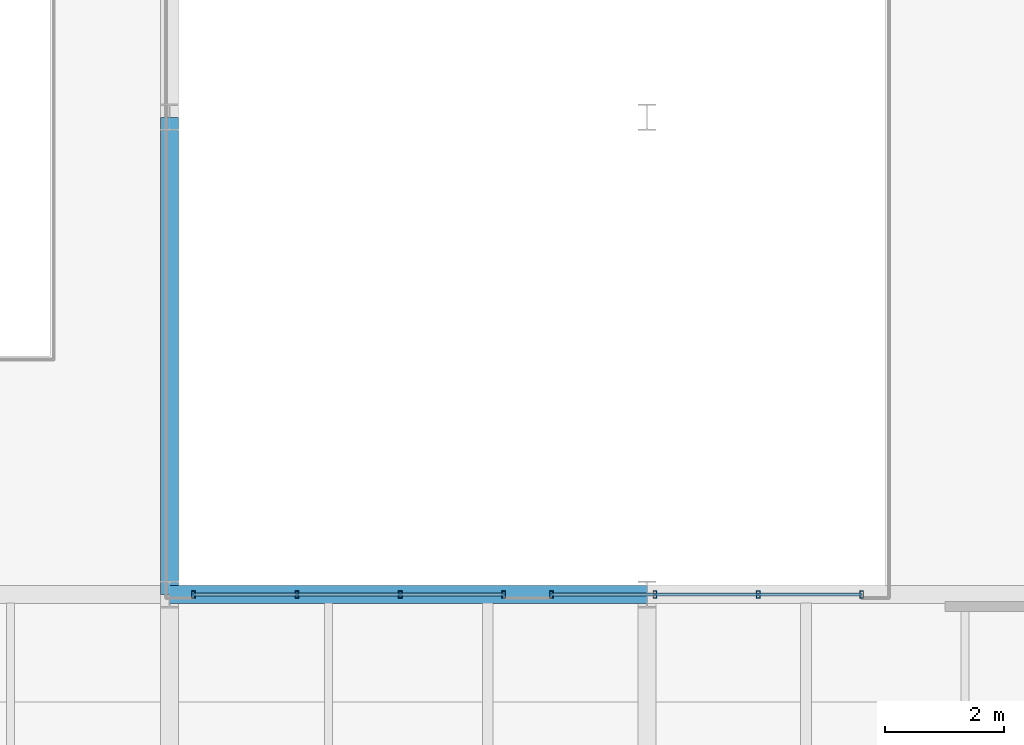
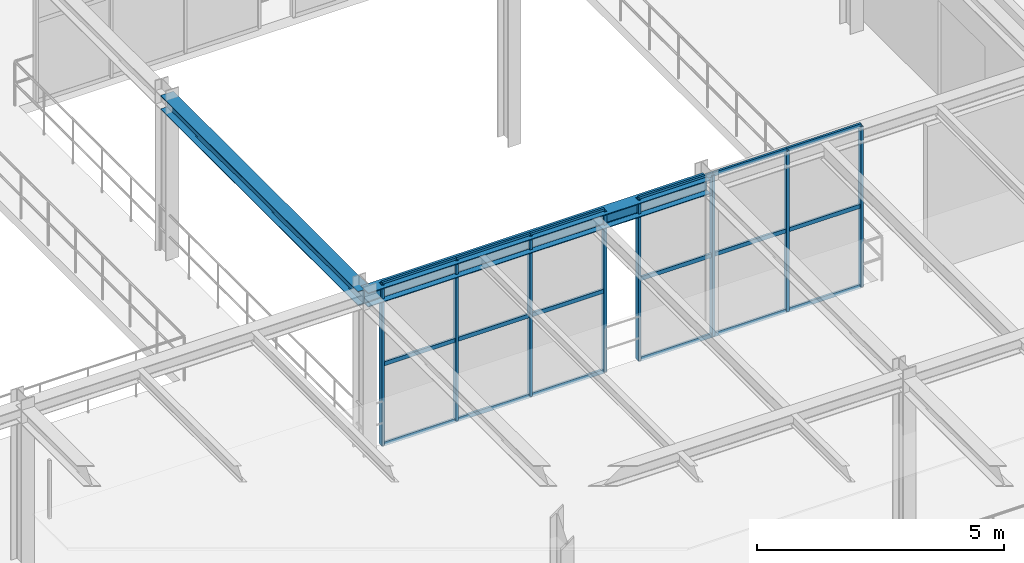
# One storey, part 64 of 124: 26 members, 2 beams, 2 elements without a shape of their own.
"""IFC4 building model written with IfcOpenShell, lengths in metres."""

from ifc_helpers import new_model, si_unit, direction, frame, origin, origin_2d, place, context, subcontext, project, spatial, hollow_rectangle, i_section, extrude, material, material_profile, profile_set, type_object, element, aggregate, save


model = new_model("IFC4")

# Units and contexts
model_context = context("Model", 3, precision=1e-05, world=origin(), true_north=direction((0.0, 1.0)))
body_context = subcontext(model_context, "Body", "Model", "MODEL_VIEW")
ifc_project = project(units=[si_unit("LENGTHUNIT", "METRE"), si_unit("AREAUNIT", "SQUARE_METRE"), si_unit("VOLUMEUNIT", "CUBIC_METRE"), si_unit("PLANEANGLEUNIT", "RADIAN"), si_unit("MASSUNIT", "GRAM", prefix="KILO")], contexts=[model_context])

# Site, building, storey
site_placement = place(None, origin())
site = spatial("IfcSite", under=ifc_project, at=site_placement, CompositionType="ELEMENT")
building_placement = place(site_placement, origin())
building = spatial("IfcBuilding", under=site, at=building_placement, Name="Sundkrona Museum", CompositionType="ELEMENT")
storey_placement = place(building_placement, frame((0.0, 0.0, 17.60009765625)))
storey = spatial("IfcBuildingStorey", under=building, at=storey_placement, Name="L03", CompositionType="ELEMENT", Elevation=17.60009765625)

# Beams
ifc_material_1 = material(Name="Steel S355J2", Category="steel")
ifc_material_profile_1 = material_profile(ifc_material_1, i_section(OverallWidth=0.300048828125, OverallDepth=0.35009765625, WebThickness=0.010009765625, FlangeThickness=0.017578125, FilletRadius=0.027099609375, at=origin_2d()), Name="HEA 360")
ifc_profile_set_1 = profile_set([ifc_material_profile_1], Name="Steel S355J2")
beam_type = type_object("IfcBeamType", Name="B-HEA360", PredefinedType="BEAM", material=ifc_profile_set_1)
for number, where, z_axis, x_axis, name in (
    (1, (136.0, 16.0, 3.784912109375), (1.0, 0.0, 0.0), (0.0, 1.0, 0.0), "L03 Girder X-1434"),
    (2, (136.0, 16.0, 3.784912109375), (0.0, 1.0, 0.0), (-1.0, 0.0, 0.0), "L03 Girder Y-1634"),
):
    element("IfcBeam", number, at=place(storey_placement, frame(where, z_axis=z_axis, x_axis=x_axis)), inside=storey, type_object=beam_type, Name=name, PredefinedType="BEAM", context=body_context, shape_type="SweptSolid", body=[
        extrude(i_section(OverallWidth=0.300048828125, OverallDepth=0.35009765625, WebThickness=0.010009765625, FlangeThickness=0.017578125, FilletRadius=0.027099609375, at=origin_2d()), origin(), (0.0, 0.0, 1.0), 8.0),
    ])

# Curtain wall, members
ifc_material_2 = material(Name="Unitised Aluminium-Steel and Ceramic-Clad Curtain Walling", Category="steel")
curtain_wall_type = type_object("IfcCurtainWallType", Name="CW-SC-52x38", PredefinedType="NOTDEFINED", material=ifc_material_2)
curtain_wall_1_placement = place(storey_placement, origin())
curtain_wall_1 = element("IfcCurtainWall", 3, at=curtain_wall_1_placement, inside=storey, type_object=curtain_wall_type, Name="L03 Curtain Wall CW-L03-009", PredefinedType="NOTDEFINED")
ifc_material_3 = material(Name="Aluminium EN AW-6060 T66", Category="aluminium")
ifc_material_profile_2 = material_profile(ifc_material_3, hollow_rectangle(XDim=0.06005859375, YDim=0.1201171875, WallThickness=0.0048828125, at=origin_2d()), Name="RHS 120x60x5.0")
ifc_profile_set_2 = profile_set([ifc_material_profile_2], Name="Aluminium EN AW-6060 T66")
member_type_1 = type_object("IfcMemberType", Name="ML-120", PredefinedType="MULLION", material=ifc_profile_set_2)
member_1_placement = place(storey_placement, frame((136.39990234375, 16.0, -0.004150390625), z_axis=(0.0, 0.0, 1.0), x_axis=(1.0, 0.0, 0.0)))
member_1 = element("IfcMember", 4, at=member_1_placement, type_object=member_type_1, Name="CW-L03-009 Mullion 01", PredefinedType="MULLION", context=body_context, shape_type="SweptSolid", body=[
    extrude(hollow_rectangle(XDim=0.06005859375, YDim=0.1201171875, WallThickness=0.0048828125, at=origin_2d()), origin(), (0.0, 0.0, 1.0), 3.968017578125),
])
member_2_placement = place(storey_placement, frame((138.13330078125, 16.0, -0.004150390625), z_axis=(0.0, 0.0, 1.0), x_axis=(1.0, 0.0, 0.0)))
member_2 = element("IfcMember", 5, at=member_2_placement, type_object=member_type_1, Name="CW-L03-009 Mullion 02", PredefinedType="MULLION", context=body_context, shape_type="SweptSolid", body=[
    extrude(hollow_rectangle(XDim=0.06005859375, YDim=0.1201171875, WallThickness=0.0048828125, at=origin_2d()), origin(), (0.0, 0.0, 1.0), 3.968017578125),
])
member_3_placement = place(storey_placement, frame((139.86669921875, 16.0, -0.004150390625), z_axis=(0.0, 0.0, 1.0), x_axis=(1.0, 0.0, 0.0)))
member_3 = element("IfcMember", 6, at=member_3_placement, type_object=member_type_1, Name="CW-L03-009 Mullion 03", PredefinedType="MULLION", context=body_context, shape_type="SweptSolid", body=[
    extrude(hollow_rectangle(XDim=0.06005859375, YDim=0.1201171875, WallThickness=0.0048828125, at=origin_2d()), origin(), (0.0, 0.0, 1.0), 3.968017578125),
])
member_4_placement = place(storey_placement, frame((141.60009765625, 16.0, -0.004150390625), z_axis=(0.0, 0.0, 1.0), x_axis=(1.0, 0.0, 0.0)))
member_4 = element("IfcMember", 7, at=member_4_placement, type_object=member_type_1, Name="CW-L03-009 Mullion 04", PredefinedType="MULLION", context=body_context, shape_type="SweptSolid", body=[
    extrude(hollow_rectangle(XDim=0.06005859375, YDim=0.1201171875, WallThickness=0.0048828125, at=origin_2d()), origin(), (0.0, 0.0, 1.0), 3.968017578125),
])

curtain_wall_2_placement = place(storey_placement, origin())
curtain_wall_2 = element("IfcCurtainWall", 8, at=curtain_wall_2_placement, inside=storey, type_object=curtain_wall_type, Name="L03 Curtain Wall CW-L03-011", PredefinedType="NOTDEFINED")
member_5_placement = place(storey_placement, frame((142.39990234375, 16.0, -0.004150390625), z_axis=(0.0, 0.0, 1.0), x_axis=(1.0, 0.0, 0.0)))
member_5 = element("IfcMember", 9, at=member_5_placement, type_object=member_type_1, Name="CW-L03-011 Mullion 01", PredefinedType="MULLION", context=body_context, shape_type="SweptSolid", body=[
    extrude(hollow_rectangle(XDim=0.06005859375, YDim=0.1201171875, WallThickness=0.0048828125, at=origin_2d()), origin(), (0.0, 0.0, 1.0), 3.968017578125),
])
member_6_placement = place(storey_placement, frame((144.13330078125, 16.0, -0.004150390625), z_axis=(0.0, 0.0, 1.0), x_axis=(1.0, 0.0, 0.0)))
member_6 = element("IfcMember", 10, at=member_6_placement, type_object=member_type_1, Name="CW-L03-011 Mullion 02", PredefinedType="MULLION", context=body_context, shape_type="SweptSolid", body=[
    extrude(hollow_rectangle(XDim=0.06005859375, YDim=0.1201171875, WallThickness=0.0048828125, at=origin_2d()), origin(), (0.0, 0.0, 1.0), 3.968017578125),
])
member_7_placement = place(storey_placement, frame((145.86669921875, 16.0, -0.004150390625), z_axis=(0.0, 0.0, 1.0), x_axis=(1.0, 0.0, 0.0)))
member_7 = element("IfcMember", 11, at=member_7_placement, type_object=member_type_1, Name="CW-L03-011 Mullion 03", PredefinedType="MULLION", context=body_context, shape_type="SweptSolid", body=[
    extrude(hollow_rectangle(XDim=0.06005859375, YDim=0.1201171875, WallThickness=0.0048828125, at=origin_2d()), origin(), (0.0, 0.0, 1.0), 3.968017578125),
])
member_8_placement = place(storey_placement, frame((147.60009765625, 16.0, -0.004150390625), z_axis=(0.0, 0.0, 1.0), x_axis=(1.0, 0.0, 0.0)))
member_8 = element("IfcMember", 12, at=member_8_placement, type_object=member_type_1, Name="CW-L03-011 Mullion 04", PredefinedType="MULLION", context=body_context, shape_type="SweptSolid", body=[
    extrude(hollow_rectangle(XDim=0.06005859375, YDim=0.1201171875, WallThickness=0.0048828125, at=origin_2d()), origin(), (0.0, 0.0, 1.0), 3.968017578125),
])

# Member
ifc_material_profile_3 = material_profile(ifc_material_3, hollow_rectangle(XDim=0.050048828125, YDim=0.10009765625, WallThickness=0.0048828125, at=origin_2d()), Name="RHS 100x50x5.0")
ifc_profile_set_3 = profile_set([ifc_material_profile_3], Name="Aluminium EN AW-6060 T66")
member_type_2 = type_object("IfcMemberType", Name="TR-100", PredefinedType="USERDEFINED", material=ifc_profile_set_3)
member_9_placement = place(storey_placement, frame((136.39990234375, 16.0, -0.004150390625), z_axis=(1.0, 0.0, 0.0), x_axis=(0.0, 1.0, 0.0)))
member_9 = element("IfcMember", 13, at=member_9_placement, type_object=member_type_2, Name="CW-L03-009 Transom 01", ObjectType="TRANSOM", PredefinedType="USERDEFINED", context=body_context, shape_type="SweptSolid", body=[
    extrude(hollow_rectangle(XDim=0.050048828125, YDim=0.10009765625, WallThickness=0.0048828125, at=origin_2d()), origin(), (0.0, 0.0, 1.0), 1.7333984375),
])

member_10_placement = place(storey_placement, frame((136.39990234375, 16.0, 1.97998046875), z_axis=(1.0, 0.0, 0.0), x_axis=(0.0, 1.0, 0.0)))
member_10 = element("IfcMember", 14, at=member_10_placement, type_object=member_type_2, Name="CW-L03-009 Transom 02", ObjectType="TRANSOM", PredefinedType="USERDEFINED", context=body_context, shape_type="SweptSolid", body=[
    extrude(hollow_rectangle(XDim=0.050048828125, YDim=0.10009765625, WallThickness=0.0048828125, at=origin_2d()), origin(), (0.0, 0.0, 1.0), 1.7333984375),
])

member_11_placement = place(storey_placement, frame((136.39990234375, 16.0, 3.9638671875), z_axis=(1.0, 0.0, 0.0), x_axis=(0.0, 1.0, 0.0)))
member_11 = element("IfcMember", 15, at=member_11_placement, type_object=member_type_2, Name="CW-L03-009 Transom 03", ObjectType="TRANSOM", PredefinedType="USERDEFINED", context=body_context, shape_type="SweptSolid", body=[
    extrude(hollow_rectangle(XDim=0.050048828125, YDim=0.10009765625, WallThickness=0.0048828125, at=origin_2d()), origin(), (0.0, 0.0, 1.0), 1.7333984375),
])

member_12_placement = place(storey_placement, frame((138.13330078125, 16.0, -0.004150390625), z_axis=(1.0, 0.0, 0.0), x_axis=(0.0, 1.0, 0.0)))
member_12 = element("IfcMember", 16, at=member_12_placement, type_object=member_type_2, Name="CW-L03-009 Transom 04", ObjectType="TRANSOM", PredefinedType="USERDEFINED", context=body_context, shape_type="SweptSolid", body=[
    extrude(hollow_rectangle(XDim=0.050048828125, YDim=0.10009765625, WallThickness=0.0048828125, at=origin_2d()), origin(), (0.0, 0.0, 1.0), 1.7333984375),
])

member_13_placement = place(storey_placement, frame((138.13330078125, 16.0, 1.97998046875), z_axis=(1.0, 0.0, 0.0), x_axis=(0.0, 1.0, 0.0)))
member_13 = element("IfcMember", 17, at=member_13_placement, type_object=member_type_2, Name="CW-L03-009 Transom 05", ObjectType="TRANSOM", PredefinedType="USERDEFINED", context=body_context, shape_type="SweptSolid", body=[
    extrude(hollow_rectangle(XDim=0.050048828125, YDim=0.10009765625, WallThickness=0.0048828125, at=origin_2d()), origin(), (0.0, 0.0, 1.0), 1.7333984375),
])

member_14_placement = place(storey_placement, frame((138.13330078125, 16.0, 3.9638671875), z_axis=(1.0, 0.0, 0.0), x_axis=(0.0, 1.0, 0.0)))
member_14 = element("IfcMember", 18, at=member_14_placement, type_object=member_type_2, Name="CW-L03-009 Transom 06", ObjectType="TRANSOM", PredefinedType="USERDEFINED", context=body_context, shape_type="SweptSolid", body=[
    extrude(hollow_rectangle(XDim=0.050048828125, YDim=0.10009765625, WallThickness=0.0048828125, at=origin_2d()), origin(), (0.0, 0.0, 1.0), 1.7333984375),
])

member_15_placement = place(storey_placement, frame((139.86669921875, 16.0, -0.004150390625), z_axis=(1.0, 0.0, 0.0), x_axis=(0.0, 1.0, 0.0)))
member_15 = element("IfcMember", 19, at=member_15_placement, type_object=member_type_2, Name="CW-L03-009 Transom 07", ObjectType="TRANSOM", PredefinedType="USERDEFINED", context=body_context, shape_type="SweptSolid", body=[
    extrude(hollow_rectangle(XDim=0.050048828125, YDim=0.10009765625, WallThickness=0.0048828125, at=origin_2d()), origin(), (0.0, 0.0, 1.0), 1.7333984375),
])

member_16_placement = place(storey_placement, frame((139.86669921875, 16.0, 1.97998046875), z_axis=(1.0, 0.0, 0.0), x_axis=(0.0, 1.0, 0.0)))
member_16 = element("IfcMember", 20, at=member_16_placement, type_object=member_type_2, Name="CW-L03-009 Transom 08", ObjectType="TRANSOM", PredefinedType="USERDEFINED", context=body_context, shape_type="SweptSolid", body=[
    extrude(hollow_rectangle(XDim=0.050048828125, YDim=0.10009765625, WallThickness=0.0048828125, at=origin_2d()), origin(), (0.0, 0.0, 1.0), 1.7333984375),
])

member_17_placement = place(storey_placement, frame((139.86669921875, 16.0, 3.9638671875), z_axis=(1.0, 0.0, 0.0), x_axis=(0.0, 1.0, 0.0)))
member_17 = element("IfcMember", 21, at=member_17_placement, type_object=member_type_2, Name="CW-L03-009 Transom 09", ObjectType="TRANSOM", PredefinedType="USERDEFINED", context=body_context, shape_type="SweptSolid", body=[
    extrude(hollow_rectangle(XDim=0.050048828125, YDim=0.10009765625, WallThickness=0.0048828125, at=origin_2d()), origin(), (0.0, 0.0, 1.0), 1.7333984375),
])

aggregate(curtain_wall_1, [member_1, member_2, member_3, member_4, member_9, member_10, member_11, member_12, member_13, member_14, member_15, member_16, member_17])

member_18_placement = place(storey_placement, frame((142.39990234375, 16.0, -0.004150390625), z_axis=(1.0, 0.0, 0.0), x_axis=(0.0, 1.0, 0.0)))
member_18 = element("IfcMember", 22, at=member_18_placement, type_object=member_type_2, Name="CW-L03-011 Transom 01", ObjectType="TRANSOM", PredefinedType="USERDEFINED", context=body_context, shape_type="SweptSolid", body=[
    extrude(hollow_rectangle(XDim=0.050048828125, YDim=0.10009765625, WallThickness=0.0048828125, at=origin_2d()), origin(), (0.0, 0.0, 1.0), 1.7333984375),
])

member_19_placement = place(storey_placement, frame((142.39990234375, 16.0, 1.97998046875), z_axis=(1.0, 0.0, 0.0), x_axis=(0.0, 1.0, 0.0)))
member_19 = element("IfcMember", 23, at=member_19_placement, type_object=member_type_2, Name="CW-L03-011 Transom 02", ObjectType="TRANSOM", PredefinedType="USERDEFINED", context=body_context, shape_type="SweptSolid", body=[
    extrude(hollow_rectangle(XDim=0.050048828125, YDim=0.10009765625, WallThickness=0.0048828125, at=origin_2d()), origin(), (0.0, 0.0, 1.0), 1.7333984375),
])

member_20_placement = place(storey_placement, frame((142.39990234375, 16.0, 3.9638671875), z_axis=(1.0, 0.0, 0.0), x_axis=(0.0, 1.0, 0.0)))
member_20 = element("IfcMember", 24, at=member_20_placement, type_object=member_type_2, Name="CW-L03-011 Transom 03", ObjectType="TRANSOM", PredefinedType="USERDEFINED", context=body_context, shape_type="SweptSolid", body=[
    extrude(hollow_rectangle(XDim=0.050048828125, YDim=0.10009765625, WallThickness=0.0048828125, at=origin_2d()), origin(), (0.0, 0.0, 1.0), 1.7333984375),
])

member_21_placement = place(storey_placement, frame((144.13330078125, 16.0, -0.004150390625), z_axis=(1.0, 0.0, 0.0), x_axis=(0.0, 1.0, 0.0)))
member_21 = element("IfcMember", 25, at=member_21_placement, type_object=member_type_2, Name="CW-L03-011 Transom 04", ObjectType="TRANSOM", PredefinedType="USERDEFINED", context=body_context, shape_type="SweptSolid", body=[
    extrude(hollow_rectangle(XDim=0.050048828125, YDim=0.10009765625, WallThickness=0.0048828125, at=origin_2d()), origin(), (0.0, 0.0, 1.0), 1.7333984375),
])

member_22_placement = place(storey_placement, frame((144.13330078125, 16.0, 1.97998046875), z_axis=(1.0, 0.0, 0.0), x_axis=(0.0, 1.0, 0.0)))
member_22 = element("IfcMember", 26, at=member_22_placement, type_object=member_type_2, Name="CW-L03-011 Transom 05", ObjectType="TRANSOM", PredefinedType="USERDEFINED", context=body_context, shape_type="SweptSolid", body=[
    extrude(hollow_rectangle(XDim=0.050048828125, YDim=0.10009765625, WallThickness=0.0048828125, at=origin_2d()), origin(), (0.0, 0.0, 1.0), 1.7333984375),
])

member_23_placement = place(storey_placement, frame((144.13330078125, 16.0, 3.9638671875), z_axis=(1.0, 0.0, 0.0), x_axis=(0.0, 1.0, 0.0)))
member_23 = element("IfcMember", 27, at=member_23_placement, type_object=member_type_2, Name="CW-L03-011 Transom 06", ObjectType="TRANSOM", PredefinedType="USERDEFINED", context=body_context, shape_type="SweptSolid", body=[
    extrude(hollow_rectangle(XDim=0.050048828125, YDim=0.10009765625, WallThickness=0.0048828125, at=origin_2d()), origin(), (0.0, 0.0, 1.0), 1.7333984375),
])

member_24_placement = place(storey_placement, frame((145.86669921875, 16.0, -0.004150390625), z_axis=(1.0, 0.0, 0.0), x_axis=(0.0, 1.0, 0.0)))
member_24 = element("IfcMember", 28, at=member_24_placement, type_object=member_type_2, Name="CW-L03-011 Transom 07", ObjectType="TRANSOM", PredefinedType="USERDEFINED", context=body_context, shape_type="SweptSolid", body=[
    extrude(hollow_rectangle(XDim=0.050048828125, YDim=0.10009765625, WallThickness=0.0048828125, at=origin_2d()), origin(), (0.0, 0.0, 1.0), 1.7333984375),
])

member_25_placement = place(storey_placement, frame((145.86669921875, 16.0, 1.97998046875), z_axis=(1.0, 0.0, 0.0), x_axis=(0.0, 1.0, 0.0)))
member_25 = element("IfcMember", 29, at=member_25_placement, type_object=member_type_2, Name="CW-L03-011 Transom 08", ObjectType="TRANSOM", PredefinedType="USERDEFINED", context=body_context, shape_type="SweptSolid", body=[
    extrude(hollow_rectangle(XDim=0.050048828125, YDim=0.10009765625, WallThickness=0.0048828125, at=origin_2d()), origin(), (0.0, 0.0, 1.0), 1.7333984375),
])

member_26_placement = place(storey_placement, frame((145.86669921875, 16.0, 3.9638671875), z_axis=(1.0, 0.0, 0.0), x_axis=(0.0, 1.0, 0.0)))
member_26 = element("IfcMember", 30, at=member_26_placement, type_object=member_type_2, Name="CW-L03-011 Transom 09", ObjectType="TRANSOM", PredefinedType="USERDEFINED", context=body_context, shape_type="SweptSolid", body=[
    extrude(hollow_rectangle(XDim=0.050048828125, YDim=0.10009765625, WallThickness=0.0048828125, at=origin_2d()), origin(), (0.0, 0.0, 1.0), 1.7333984375),
])

aggregate(curtain_wall_2, [member_5, member_6, member_7, member_8, member_18, member_19, member_20, member_21, member_22, member_23, member_24, member_25, member_26])

save(model, "model.ifc")
